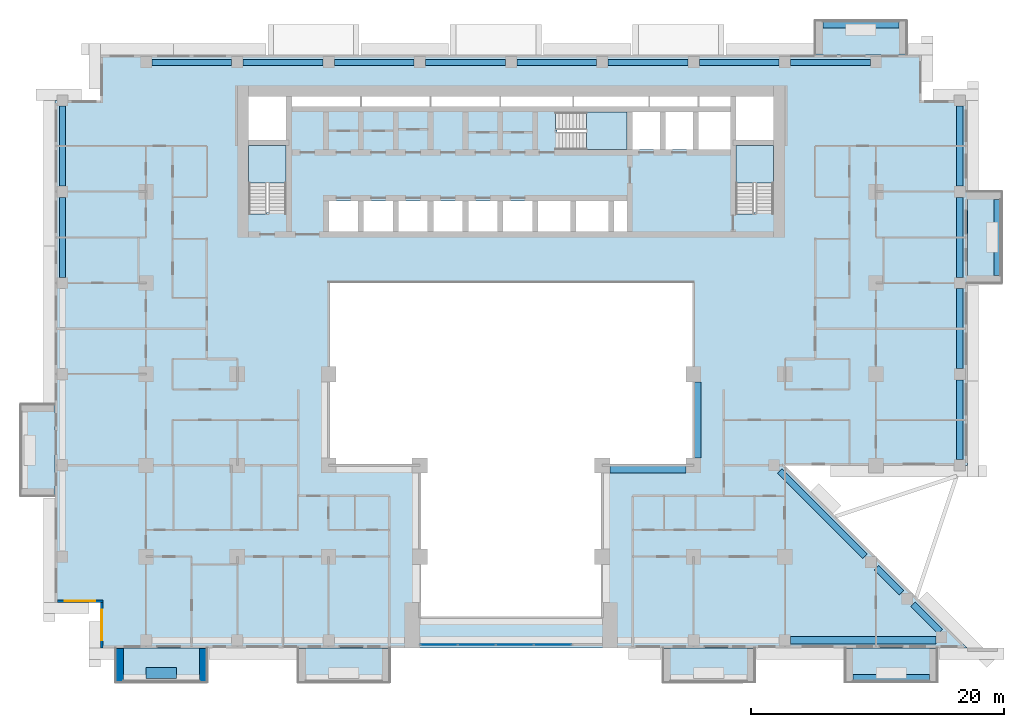
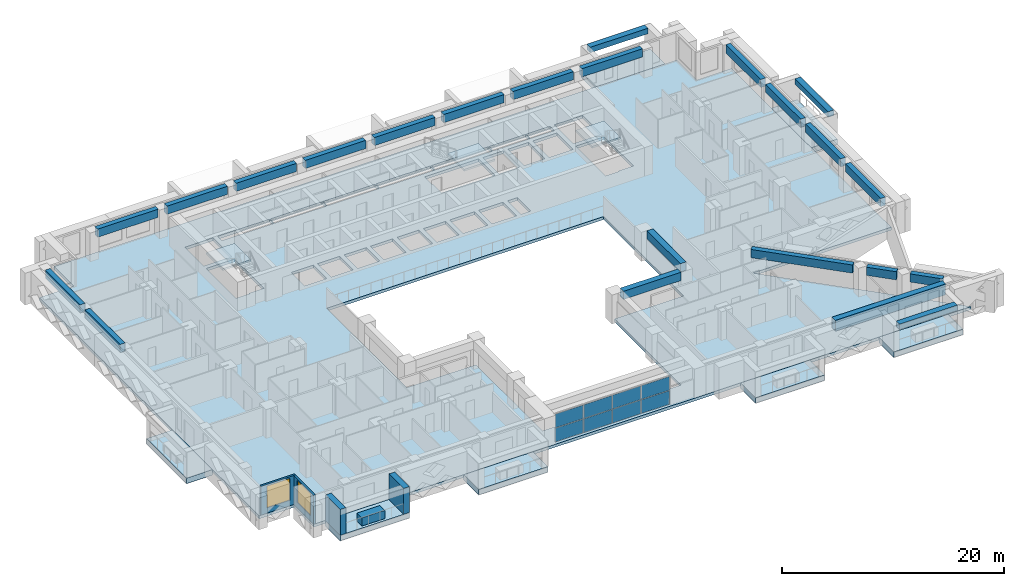
# One storey, part 5 of 17: 23 beams, 11 slabs, 8 plates, 5 walls, 2 windows, 2 openings, 4 elements without a shape of their own.
"""IFC4 building model written with IfcOpenShell, lengths in metres."""

from ifc_helpers import new_model, si_unit, direction, frame, frame_2d, origin, origin_2d, place, context, subcontext, project, spatial, polyline, rectangle, outline, extrude, source, transform, mapped, material, layer, layer_set, material_profile, profile_set, type_object, element, fill, aggregate, save


model = new_model("IFC4")

# Units and contexts
model_context = context("Model", 3, precision=1e-05, world=origin(), true_north=direction((0.0, 1.0)))
body_context = subcontext(model_context, "Body", "Model", "MODEL_VIEW")
ifc_project = project(units=[si_unit("LENGTHUNIT", "METRE"), si_unit("AREAUNIT", "SQUARE_METRE"), si_unit("VOLUMEUNIT", "CUBIC_METRE"), si_unit("PLANEANGLEUNIT", "RADIAN"), si_unit("MASSUNIT", "GRAM", prefix="KILO")], contexts=[model_context])

# Site, building, storey
site_placement = place(None, origin())
site = spatial("IfcSite", under=ifc_project, at=site_placement, CompositionType="ELEMENT")
building_placement = place(site_placement, origin())
building = spatial("IfcBuilding", under=site, at=building_placement, Name="Saffron Iwan Residences", CompositionType="ELEMENT")
storey_placement = place(building_placement, frame((0.0, 0.0, 97.0)))
storey = spatial("IfcBuildingStorey", under=building, at=storey_placement, Name="L25", CompositionType="ELEMENT", Elevation=97.0)

# Beams
ifc_material_1 = material(Name="Concrete C60/75", Category="concrete")
ifc_material_profile_1 = material_profile(ifc_material_1, rectangle(XDim=0.5, YDim=0.89990234375, at=origin_2d()), Name="RC 500x900")
ifc_profile_set_1 = profile_set([ifc_material_profile_1], Name="Concrete C60/75")
beam_type_1 = type_object("IfcBeamType", Name="SPANDREL BEAM RC 500x900 C60/75 TOP 3180", PredefinedType="SPANDREL", material=ifc_profile_set_1)
shared_shape_1 = source(origin(), body_context, "Body", "SweptSolid", [
    extrude(rectangle(XDim=0.5, YDim=0.89990234375, at=origin_2d()), origin(), (0.0, 0.0, 1.0), 6.300048828125),
])
for number, where, z_axis, x_axis, name in (
    (1, (85.800048828125, 54.75, 2.72998046875), (0.0, -1.0, 0.0), (1.0, 0.0, 0.0), "Spandrel beam"),
    (2, (85.800048828125, 61.949951171875, 2.72998046875), (0.0, -1.0, 0.0), (1.0, 0.0, 0.0), "Spandrel beam"),
    (3, (15.0, 70.050048828125, 2.72998046875), (0.0, 1.0, 0.0), (-1.0, 0.0, 0.0), "Spandrel beam"),
    (4, (85.800048828125, 76.35009765625, 2.72998046875), (0.0, -1.0, 0.0), (1.0, 0.0, 0.0), "Spandrel beam"),
    (5, (22.050048828125, 79.800048828125, 2.72998046875), (1.0, 0.0, 0.0), (0.0, 1.0, 0.0), "Spandrel beam"),
    (6, (29.25, 79.800048828125, 2.72998046875), (1.0, 0.0, 0.0), (0.0, 1.0, 0.0), "Spandrel beam"),
    (7, (36.449951171875, 79.800048828125, 2.72998046875), (1.0, 0.0, 0.0), (0.0, 1.0, 0.0), "Spandrel beam"),
    (8, (43.64990234375, 79.800048828125, 2.72998046875), (1.0, 0.0, 0.0), (0.0, 1.0, 0.0), "Spandrel beam"),
    (9, (58.050048828125, 79.800048828125, 2.72998046875), (1.0, 0.0, 0.0), (0.0, 1.0, 0.0), "Spandrel beam"),
    (10, (65.25, 79.800048828125, 2.72998046875), (1.0, 0.0, 0.0), (0.0, 1.0, 0.0), "Spandrel beam"),
    (11, (72.449951171875, 79.800048828125, 2.72998046875), (1.0, 0.0, 0.0), (0.0, 1.0, 0.0), "Spandrel beam"),
):
    element("IfcBeam", number, at=place(storey_placement, frame(where, z_axis=z_axis, x_axis=x_axis)), inside=storey, type_object=beam_type_1, Name=name, PredefinedType="SPANDREL", context=body_context, shape_type="MappedRepresentation", body=[
        mapped(shared_shape_1, transform((0.0, 0.0, 0.0))),
    ])
shared_shape_2 = source(origin(), body_context, "Body", "SweptSolid", [
    extrude(rectangle(XDim=0.5, YDim=0.89990234375, at=origin_2d()), origin(), (0.0, 0.0, 1.0), 3.046142578125),
])
beam_1_placement = place(storey_placement, frame((82.105712890625, 37.0458984375, 2.72998046875), z_axis=(0.707066705991, -0.70714685411, 0.0), x_axis=(0.70714685411, 0.707066705991, 0.0)))
element("IfcBeam", 12, at=beam_1_placement, inside=storey, type_object=beam_type_1, Name="Spandrel beam", PredefinedType="SPANDREL", context=body_context, shape_type="MappedRepresentation", body=[
    mapped(shared_shape_2, transform((0.0, 0.0, 0.0))),
])
shared_shape_3 = source(origin(), body_context, "Body", "SweptSolid", [
    extrude(rectangle(XDim=0.5, YDim=0.89990234375, at=origin_2d()), origin(), (0.0, 0.0, 1.0), 2.80029296875),
])
beam_2_placement = place(storey_placement, frame((79.2255859375, 39.92578125, 2.72998046875), z_axis=(0.707150371901, -0.707063187784, 0.0), x_axis=(0.707063187784, 0.707150371901, 0.0)))
element("IfcBeam", 13, at=beam_2_placement, inside=storey, type_object=beam_type_1, Name="Spandrel beam", PredefinedType="SPANDREL", context=body_context, shape_type="MappedRepresentation", body=[
    mapped(shared_shape_3, transform((0.0, 0.0, 0.0))),
])
shared_shape_4 = source(origin(), body_context, "Body", "SweptSolid", [
    extrude(rectangle(XDim=0.5, YDim=0.89990234375, at=origin_2d()), origin(), (0.0, 0.0, 1.0), 9.511474609375),
])
beam_3_placement = place(storey_placement, frame((71.60009765625, 47.551513671875, 2.72998046875), z_axis=(0.707093947217, -0.707119614923, 0.0), x_axis=(0.707119614923, 0.707093947217, 0.0)))
element("IfcBeam", 14, at=beam_3_placement, inside=storey, type_object=beam_type_1, Name="Spandrel beam", PredefinedType="SPANDREL", context=body_context, shape_type="MappedRepresentation", body=[
    mapped(shared_shape_4, transform((0.0, 0.0, 0.0))),
])
shared_shape_5 = source(origin(), body_context, "Body", "SweptSolid", [
    extrude(rectangle(XDim=0.5, YDim=0.89990234375, at=origin_2d()), origin(), (0.0, 0.0, 1.0), 6.2998046875),
])
for number, where, z_axis, x_axis, name in (
    (15, (15.0, 62.85009765625, 2.72998046875), (0.0, 1.0, 0.0), (-1.0, 0.0, 0.0), "Spandrel beam"),
    (16, (85.800048828125, 69.14990234375, 2.72998046875), (0.0, -1.0, 0.0), (1.0, 0.0, 0.0), "Spandrel beam"),
    (17, (50.85009765625, 79.800048828125, 2.72998046875), (1.0, 0.0, 0.0), (0.0, 1.0, 0.0), "Spandrel beam"),
):
    element("IfcBeam", number, at=place(storey_placement, frame(where, z_axis=z_axis, x_axis=x_axis)), inside=storey, type_object=beam_type_1, Name=name, PredefinedType="SPANDREL", context=body_context, shape_type="MappedRepresentation", body=[
        mapped(shared_shape_5, transform((0.0, 0.0, 0.0))),
    ])
ifc_material_profile_2 = material_profile(ifc_material_1, rectangle(XDim=0.60009765625, YDim=1.199951171875, at=origin_2d()), Name="RC 600x1200")
ifc_profile_set_2 = profile_set([ifc_material_profile_2], Name="Concrete C60/75")
beam_type_2 = type_object("IfcBeamType", Name="LINTEL BEAM RC 600x1200 C60/75 TOP 3180", PredefinedType="LINTEL", material=ifc_profile_set_2)
shared_shape_6 = source(origin(), body_context, "Body", "SweptSolid", [
    extrude(rectangle(XDim=0.60009765625, YDim=1.199951171875, at=origin_2d()), origin(), (0.0, 0.0, 1.0), 11.467529296875),
])
beam_4_placement = place(storey_placement, frame((83.91748046875, 34.199951171875, 2.580078125), z_axis=(-1.0, 0.0, 0.0), x_axis=(0.0, -1.0, 0.0)))
element("IfcBeam", 18, at=beam_4_placement, inside=storey, type_object=beam_type_2, Name="Lintel beam over the iwan", PredefinedType="LINTEL", context=body_context, shape_type="MappedRepresentation", body=[
    mapped(shared_shape_6, transform((0.0, 0.0, 0.0))),
])
ifc_material_profile_3 = material_profile(ifc_material_1, rectangle(XDim=0.60009765625, YDim=0.89990234375, at=origin_2d()), Name="RC 600x900")
ifc_profile_set_3 = profile_set([ifc_material_profile_3], Name="Concrete C60/75")
beam_type_3 = type_object("IfcBeamType", Name="BEAM RC 600x900 C60/75 TOP 3180", PredefinedType="BEAM", material=ifc_profile_set_3)
shared_shape_7 = source(origin(), body_context, "Body", "SweptSolid", [
    extrude(rectangle(XDim=0.60009765625, YDim=0.89990234375, at=origin_2d()), origin(), (0.0, 0.0, 1.0), 6.0),
])
for number, where, z_axis, x_axis, name in (
    (19, (64.199951171875, 47.699951171875, 2.72998046875), (-1.0, 0.0, 0.0), (0.0, -1.0, 0.0), "Atrium edge beam"),
    (20, (65.10009765625, 54.60009765625, 2.72998046875), (0.0, -1.0, 0.0), (1.0, 0.0, 0.0), "Atrium edge beam"),
):
    element("IfcBeam", number, at=place(storey_placement, frame(where, z_axis=z_axis, x_axis=x_axis)), inside=storey, type_object=beam_type_3, Name=name, PredefinedType="BEAM", context=body_context, shape_type="MappedRepresentation", body=[
        mapped(shared_shape_7, transform((0.0, 0.0, 0.0))),
    ])
ifc_material_2 = material(Name="Concrete C50/60 white painted", Category="concrete")
ifc_material_profile_4 = material_profile(ifc_material_2, rectangle(XDim=0.60009765625, YDim=0.60009765625, at=origin_2d()), Name="BALCONY FASCIA BEAM 600 x 600")
ifc_profile_set_4 = profile_set([ifc_material_profile_4], Name="Concrete C50/60 white painted")
beam_type_4 = type_object("IfcBeamType", Name="BALCONY FASCIA BEAM 600 x 600", PredefinedType="BEAM", material=ifc_profile_set_4)
shared_shape_8 = source(origin(), body_context, "Body", "SweptSolid", [
    extrude(rectangle(XDim=0.60009765625, YDim=0.60009765625, at=origin_2d()), origin(), (0.0, 0.0, 1.0), 6.0),
])
for number, where, z_axis, x_axis, name in (
    (21, (88.800048828125, 63.0, 2.550048828125), (0.0, 1.0, 0.0), (-1.0, 0.0, 0.0), "Balcony fascia beam L25 F2-0"),
    (22, (81.0, 82.800048828125, 2.550048828125), (-1.0, 0.0, 0.0), (0.0, -1.0, 0.0), "Balcony fascia beam L25 F5-0"),
    (23, (77.39990234375, 31.199951171875, 2.550048828125), (1.0, 0.0, 0.0), (0.0, 1.0, 0.0), "Balcony fascia beam L25 11-3"),
):
    element("IfcBeam", number, at=place(storey_placement, frame(where, z_axis=z_axis, x_axis=x_axis)), inside=storey, type_object=beam_type_4, Name=name, PredefinedType="BEAM", context=body_context, shape_type="MappedRepresentation", body=[
        mapped(shared_shape_8, transform((0.0, 0.0, 0.0))),
    ])

# Slabs
ifc_layer_1 = layer(ifc_material_2, 0.60009765625)
ifc_layer_set_1 = layer_set([ifc_layer_1], Name="Concrete C50/60 white painted")
slab_type_1 = type_object("IfcSlabType", Name="BALCONY FRAME SLAB 600", PredefinedType="FLOOR", material=ifc_layer_set_1)
slab_1_placement = place(storey_placement, frame((0.0, 0.0, -0.60009765625)))
element("IfcSlab", 24, at=slab_1_placement, inside=storey, type_object=slab_type_1, Name="Balcony frame slab L25 F2-0", PredefinedType="FLOOR", context=body_context, shape_type="SweptSolid", body=[
    extrude(outline(polyline([(89.10009765625, 62.39990234375), (89.10009765625, 69.60009765625), (86.39990234375, 69.60009765625), (86.39990234375, 62.39990234375), (89.10009765625, 62.39990234375)])), origin(), (0.0, 0.0, 1.0), 0.60009765625),
])
slab_2_placement = place(storey_placement, frame((0.0, 0.0, -0.60009765625)))
element("IfcSlab", 25, at=slab_2_placement, inside=storey, type_object=slab_type_1, Name="Balcony frame slab L25 F5-0", PredefinedType="FLOOR", context=body_context, shape_type="SweptSolid", body=[
    extrude(outline(polyline([(81.60009765625, 83.10009765625), (74.39990234375, 83.10009765625), (74.39990234375, 80.39990234375), (81.60009765625, 80.39990234375), (81.60009765625, 83.10009765625)])), origin(), (0.0, 0.0, 1.0), 0.60009765625),
])
slab_3_placement = place(storey_placement, frame((0.0, 0.0, -0.60009765625)))
element("IfcSlab", 26, at=slab_3_placement, inside=storey, type_object=slab_type_1, Name="Balcony frame slab L25 F8-1", PredefinedType="FLOOR", context=body_context, shape_type="SweptSolid", body=[
    extrude(outline(polyline([(11.699951171875, 52.800048828125), (11.699951171875, 45.60009765625), (14.39990234375, 45.60009765625), (14.39990234375, 52.800048828125), (11.699951171875, 52.800048828125)])), origin(), (0.0, 0.0, 1.0), 0.60009765625),
])
slab_4_placement = place(storey_placement, frame((0.0, 0.0, -0.60009765625)))
element("IfcSlab", 27, at=slab_4_placement, inside=storey, type_object=slab_type_1, Name="Balcony frame slab L25 11-0", PredefinedType="FLOOR", context=body_context, shape_type="SweptSolid", body=[
    extrude(outline(polyline([(19.199951171875, 30.89990234375), (26.39990234375, 30.89990234375), (26.39990234375, 33.60009765625), (19.199951171875, 33.60009765625), (19.199951171875, 30.89990234375)])), origin(), (0.0, 0.0, 1.0), 0.60009765625),
])
slab_5_placement = place(storey_placement, frame((0.0, 0.0, -0.60009765625)))
element("IfcSlab", 28, at=slab_5_placement, inside=storey, type_object=slab_type_1, Name="Balcony frame slab L25 11-1", PredefinedType="FLOOR", context=body_context, shape_type="SweptSolid", body=[
    extrude(outline(polyline([(33.60009765625, 30.89990234375), (40.800048828125, 30.89990234375), (40.800048828125, 33.60009765625), (33.60009765625, 33.60009765625), (33.60009765625, 30.89990234375)])), origin(), (0.0, 0.0, 1.0), 0.60009765625),
])
slab_6_placement = place(storey_placement, frame((0.0, 0.0, -0.60009765625)))
element("IfcSlab", 29, at=slab_6_placement, inside=storey, type_object=slab_type_1, Name="Balcony frame slab L25 11-2", PredefinedType="FLOOR", context=body_context, shape_type="SweptSolid", body=[
    extrude(outline(polyline([(62.39990234375, 30.89990234375), (69.60009765625, 30.89990234375), (69.60009765625, 33.60009765625), (62.39990234375, 33.60009765625), (62.39990234375, 30.89990234375)])), origin(), (0.0, 0.0, 1.0), 0.60009765625),
])
slab_7_placement = place(storey_placement, frame((0.0, 0.0, -0.60009765625)))
element("IfcSlab", 30, at=slab_7_placement, inside=storey, type_object=slab_type_1, Name="Balcony frame slab L25 11-3", PredefinedType="FLOOR", context=body_context, shape_type="SweptSolid", body=[
    extrude(outline(polyline([(76.800048828125, 30.89990234375), (84.0, 30.89990234375), (84.0, 33.60009765625), (76.800048828125, 33.60009765625), (76.800048828125, 30.89990234375)])), origin(), (0.0, 0.0, 1.0), 0.60009765625),
])
ifc_material_3 = material(Name="Concrete C40/50", Category="concrete")
ifc_layer_2 = layer(ifc_material_3, 0.320068359375)
ifc_layer_set_2 = layer_set([ifc_layer_2], Name="Concrete C40/50")
slab_type_2 = type_object("IfcSlabType", Name="PT PLATE 320 C40/50", PredefinedType="FLOOR", material=ifc_layer_set_2)
slab_8_placement = place(storey_placement, frame((0.0, 0.0, -0.320068359375)))
element("IfcSlab", 31, at=slab_8_placement, inside=storey, type_object=slab_type_2, Name="Floor slab L25", PredefinedType="FLOOR", context=body_context, shape_type="SweptSolid", body=[
    extrude(outline(polyline([(14.39990234375, 37.199951171875), (14.39990234375, 76.800048828125), (18.0, 76.800048828125), (18.0, 80.39990234375), (82.800048828125, 80.39990234375), (82.800048828125, 76.800048828125), (86.39990234375, 76.800048828125), (86.39990234375, 48.0), (72.0, 48.0), (86.39990234375, 33.60009765625), (18.0, 33.60009765625), (18.0, 37.199951171875), (14.39990234375, 37.199951171875)]), holes=[polyline([(64.800048828125, 48.0), (64.800048828125, 62.39990234375), (36.0, 62.39990234375), (36.0, 48.0), (43.199951171875, 48.0), (43.199951171875, 36.0), (57.60009765625, 36.0), (57.60009765625, 48.0), (64.800048828125, 48.0)]), polyline([(38.324951171875, 68.875), (36.02490234375, 68.875), (36.02490234375, 66.449951171875), (38.324951171875, 66.449951171875), (38.324951171875, 68.875)]), polyline([(41.074951171875, 66.449951171875), (41.074951171875, 68.875), (38.77490234375, 68.875), (38.77490234375, 66.449951171875), (41.074951171875, 66.449951171875)]), polyline([(43.824951171875, 66.449951171875), (43.824951171875, 68.875), (41.52490234375, 68.875), (41.52490234375, 66.449951171875), (43.824951171875, 66.449951171875)]), polyline([(46.574951171875, 68.875), (44.27490234375, 68.875), (44.27490234375, 66.449951171875), (46.574951171875, 66.449951171875), (46.574951171875, 68.875)]), polyline([(49.324951171875, 66.449951171875), (49.324951171875, 68.875), (47.02490234375, 68.875), (47.02490234375, 66.449951171875), (49.324951171875, 66.449951171875)]), polyline([(52.074951171875, 66.449951171875), (52.074951171875, 68.875), (49.77490234375, 68.875), (49.77490234375, 66.449951171875), (52.074951171875, 66.449951171875)]), polyline([(29.699951171875, 73.25), (29.699951171875, 67.949951171875), (29.699951171875, 67.8505859375), (31.10009765625, 67.8505859375), (31.10009765625, 67.949951171875), (32.64990234375, 67.949951171875), (32.64990234375, 73.25), (29.699951171875, 73.25)]), polyline([(32.64990234375, 73.699951171875), (32.64990234375, 77.10009765625), (29.699951171875, 77.10009765625), (29.699951171875, 73.699951171875), (32.64990234375, 73.699951171875)]), polyline([(38.5, 76.324951171875), (38.5, 77.10009765625), (33.10009765625, 77.10009765625), (33.10009765625, 76.324951171875), (38.5, 76.324951171875)]), polyline([(44.0, 77.10009765625), (38.60009765625, 77.10009765625), (38.60009765625, 76.324951171875), (44.0, 76.324951171875), (44.0, 77.10009765625)]), polyline([(49.5, 76.324951171875), (49.5, 77.10009765625), (44.10009765625, 77.10009765625), (44.10009765625, 76.324951171875), (49.5, 76.324951171875)]), polyline([(55.25, 76.324951171875), (55.25, 77.10009765625), (49.60009765625, 77.10009765625), (49.60009765625, 76.324951171875), (55.25, 76.324951171875)]), polyline([(55.074951171875, 68.875), (52.52490234375, 68.875), (52.52490234375, 66.449951171875), (55.074951171875, 66.449951171875), (55.074951171875, 68.875)]), polyline([(58.074951171875, 66.449951171875), (58.074951171875, 68.875), (55.52490234375, 68.875), (55.52490234375, 66.449951171875), (58.074951171875, 66.449951171875)]), polyline([(59.550048828125, 66.449951171875), (59.550048828125, 68.875), (58.52490234375, 68.875), (58.52490234375, 66.449951171875), (59.550048828125, 66.449951171875)]), polyline([(68.14990234375, 73.25), (68.14990234375, 67.949951171875), (68.14990234375, 67.8505859375), (69.550048828125, 67.8505859375), (69.550048828125, 67.949951171875), (71.10009765625, 67.949951171875), (71.10009765625, 73.25), (68.14990234375, 73.25)]), polyline([(53.925537109375, 74.47509765625), (54.02490234375, 74.47509765625), (54.02490234375, 72.925048828125), (59.550048828125, 72.925048828125), (59.550048828125, 75.875), (54.02490234375, 75.875), (53.925537109375, 75.875), (53.925537109375, 74.47509765625)]), polyline([(62.14990234375, 72.925048828125), (62.14990234375, 75.875), (60.0, 75.875), (60.0, 72.925048828125), (62.14990234375, 72.925048828125)]), polyline([(64.75, 75.875), (62.60009765625, 75.875), (62.60009765625, 72.925048828125), (64.75, 72.925048828125), (64.75, 75.875)]), polyline([(67.699951171875, 72.925048828125), (67.699951171875, 75.875), (65.199951171875, 75.875), (65.199951171875, 72.925048828125), (67.699951171875, 72.925048828125)]), polyline([(71.10009765625, 73.699951171875), (71.10009765625, 77.10009765625), (68.14990234375, 77.10009765625), (68.14990234375, 73.699951171875), (71.10009765625, 73.699951171875)]), polyline([(61.25, 77.10009765625), (55.35009765625, 77.10009765625), (55.35009765625, 76.324951171875), (61.25, 76.324951171875), (61.25, 77.10009765625)]), polyline([(65.14990234375, 76.324951171875), (65.14990234375, 77.10009765625), (61.35009765625, 77.10009765625), (61.35009765625, 76.324951171875), (65.14990234375, 76.324951171875)]), polyline([(67.699951171875, 76.324951171875), (67.699951171875, 77.10009765625), (65.25, 77.10009765625), (65.25, 76.324951171875), (67.699951171875, 76.324951171875)])]), origin(), (0.0, 0.0, 1.0), 0.320068359375),
])

# Stair, slab
ifc_material_4 = material(Name="Concrete C50/60", Category="concrete")
stair_type = type_object("IfcStairType", Name="Stair ST-CORE", PredefinedType="HALF_TURN_STAIR", material=ifc_material_4)
stair_1_placement = place(storey_placement, origin())
stair_1 = element("IfcStair", 32, at=stair_1_placement, inside=storey, type_object=stair_type, Name="L25 Exit Stair ST-W", PredefinedType="HALF_TURN_STAIR")
ifc_layer_3 = layer(ifc_material_4, 0.199951171875)
ifc_layer_set_3 = layer_set([ifc_layer_3], Name="Concrete C50/60")
slab_type_3 = type_object("IfcSlabType", Name="Stair landing SL-RC", PredefinedType="LANDING", material=ifc_layer_set_3)
slab_9_placement = place(storey_placement, frame((0.0, 0.0, 1.5498046875)))
slab_9 = element("IfcSlab", 33, at=slab_9_placement, type_object=slab_type_3, Name="ST-W landing 1", PredefinedType="LANDING", context=body_context, shape_type="SweptSolid", body=[
    extrude(outline(polyline([(32.64990234375, 70.280029296875), (32.64990234375, 73.25), (29.699951171875, 73.25), (29.699951171875, 70.280029296875), (32.64990234375, 70.280029296875)])), origin(), (0.0, 0.0, 1.0), 0.2001953125),
])
aggregate(stair_1, [slab_9])

stair_2_placement = place(storey_placement, origin())
stair_2 = element("IfcStair", 34, at=stair_2_placement, inside=storey, type_object=stair_type, Name="L25 Exit Stair ST-C", PredefinedType="HALF_TURN_STAIR")
slab_10_placement = place(storey_placement, frame((0.0, 0.0, 1.5498046875)))
slab_10 = element("IfcSlab", 35, at=slab_10_placement, type_object=slab_type_3, Name="ST-C landing 1", PredefinedType="LANDING", context=body_context, shape_type="SweptSolid", body=[
    extrude(outline(polyline([(56.35498046875, 72.925048828125), (59.550048828125, 72.925048828125), (59.550048828125, 75.875), (56.35498046875, 75.875), (56.35498046875, 72.925048828125)])), origin(), (0.0, 0.0, 1.0), 0.2001953125),
])
aggregate(stair_2, [slab_10])

stair_3_placement = place(storey_placement, origin())
stair_3 = element("IfcStair", 36, at=stair_3_placement, inside=storey, type_object=stair_type, Name="L25 Exit Stair ST-E", PredefinedType="HALF_TURN_STAIR")
slab_11_placement = place(storey_placement, frame((0.0, 0.0, 1.5498046875)))
slab_11 = element("IfcSlab", 37, at=slab_11_placement, type_object=slab_type_3, Name="ST-E landing 1", PredefinedType="LANDING", context=body_context, shape_type="SweptSolid", body=[
    extrude(outline(polyline([(71.10009765625, 70.280029296875), (71.10009765625, 73.25), (68.14990234375, 73.25), (68.14990234375, 70.280029296875), (71.10009765625, 70.280029296875)])), origin(), (0.0, 0.0, 1.0), 0.2001953125),
])
aggregate(stair_3, [slab_11])

# Curtain wall, plates
ifc_material_5 = material(Name="Clear glass, laminated double glazed", Category="glass")
ifc_layer_4 = layer(ifc_material_5, 0.199951171875)
ifc_layer_set_4 = layer_set([ifc_layer_4], Name="Clear glass, laminated double glazed")
curtain_wall_type = type_object("IfcCurtainWallType", Name="CW-B IWAN PORTAL", PredefinedType="NOTDEFINED", material=ifc_layer_set_4)
curtain_wall_placement = place(storey_placement, origin())
curtain_wall = element("IfcCurtainWall", 38, at=curtain_wall_placement, inside=storey, type_object=curtain_wall_type, Name="Iwan portal glazing L25.1", PredefinedType="NOTDEFINED")
ifc_layer_5 = layer(ifc_material_5, 0.028076171875)
ifc_layer_set_5 = layer_set([ifc_layer_5], Name="Clear glass, laminated double glazed")
plate_type = type_object("IfcPlateType", Name="CW-B PANEL 28", PredefinedType="CURTAIN_PANEL", material=ifc_layer_set_5)
shared_shape_9 = source(origin(), body_context, "Body", "SweptSolid", [
    extrude(rectangle(XDim=2.909912109375, YDim=0.028076171875, at=origin_2d()), origin(), (0.0, 0.0, 1.0), 1.5),
])
plate_1_placement = place(storey_placement, frame((44.715087890625, 33.85009765625, 0.06005859375), z_axis=(0.0, 0.0, 1.0), x_axis=(1.0, 0.0, 0.0)))
plate_1 = element("IfcPlate", 39, at=plate_1_placement, type_object=plate_type, Name="CW-B panel 1.1", PredefinedType="CURTAIN_PANEL", context=body_context, shape_type="MappedRepresentation", body=[
    mapped(shared_shape_9, transform((0.0, 0.0, 0.0))),
])
plate_2_placement = place(storey_placement, frame((44.715087890625, 33.85009765625, 1.6201171875), z_axis=(0.0, 0.0, 1.0), x_axis=(1.0, 0.0, 0.0)))
plate_2 = element("IfcPlate", 40, at=plate_2_placement, type_object=plate_type, Name="CW-B panel 1.2", PredefinedType="CURTAIN_PANEL", context=body_context, shape_type="MappedRepresentation", body=[
    mapped(shared_shape_9, transform((0.0, 0.0, 0.0))),
])
plate_3_placement = place(storey_placement, frame((53.68505859375, 33.85009765625, 0.06005859375), z_axis=(0.0, 0.0, 1.0), x_axis=(1.0, 0.0, 0.0)))
plate_3 = element("IfcPlate", 41, at=plate_3_placement, type_object=plate_type, Name="CW-B panel 4.1", PredefinedType="CURTAIN_PANEL", context=body_context, shape_type="MappedRepresentation", body=[
    mapped(shared_shape_9, transform((0.0, 0.0, 0.0))),
])
plate_4_placement = place(storey_placement, frame((53.68505859375, 33.85009765625, 1.6201171875), z_axis=(0.0, 0.0, 1.0), x_axis=(1.0, 0.0, 0.0)))
plate_4 = element("IfcPlate", 42, at=plate_4_placement, type_object=plate_type, Name="CW-B panel 4.2", PredefinedType="CURTAIN_PANEL", context=body_context, shape_type="MappedRepresentation", body=[
    mapped(shared_shape_9, transform((0.0, 0.0, 0.0))),
])
shared_shape_10 = source(origin(), body_context, "Body", "SweptSolid", [
    extrude(rectangle(XDim=2.93994140625, YDim=0.028076171875, at=origin_2d()), origin(), (0.0, 0.0, 1.0), 1.5),
])
plate_5_placement = place(storey_placement, frame((47.699951171875, 33.85009765625, 0.06005859375), z_axis=(0.0, 0.0, 1.0), x_axis=(1.0, 0.0, 0.0)))
plate_5 = element("IfcPlate", 43, at=plate_5_placement, type_object=plate_type, Name="CW-B panel 2.1", PredefinedType="CURTAIN_PANEL", context=body_context, shape_type="MappedRepresentation", body=[
    mapped(shared_shape_10, transform((0.0, 0.0, 0.0))),
])
plate_6_placement = place(storey_placement, frame((47.699951171875, 33.85009765625, 1.6201171875), z_axis=(0.0, 0.0, 1.0), x_axis=(1.0, 0.0, 0.0)))
plate_6 = element("IfcPlate", 44, at=plate_6_placement, type_object=plate_type, Name="CW-B panel 2.2", PredefinedType="CURTAIN_PANEL", context=body_context, shape_type="MappedRepresentation", body=[
    mapped(shared_shape_10, transform((0.0, 0.0, 0.0))),
])
plate_7_placement = place(storey_placement, frame((50.699951171875, 33.85009765625, 0.06005859375), z_axis=(0.0, 0.0, 1.0), x_axis=(1.0, 0.0, 0.0)))
plate_7 = element("IfcPlate", 45, at=plate_7_placement, type_object=plate_type, Name="CW-B panel 3.1", PredefinedType="CURTAIN_PANEL", context=body_context, shape_type="MappedRepresentation", body=[
    mapped(shared_shape_10, transform((0.0, 0.0, 0.0))),
])
plate_8_placement = place(storey_placement, frame((50.699951171875, 33.85009765625, 1.6201171875), z_axis=(0.0, 0.0, 1.0), x_axis=(1.0, 0.0, 0.0)))
plate_8 = element("IfcPlate", 46, at=plate_8_placement, type_object=plate_type, Name="CW-B panel 3.2", PredefinedType="CURTAIN_PANEL", context=body_context, shape_type="MappedRepresentation", body=[
    mapped(shared_shape_10, transform((0.0, 0.0, 0.0))),
])
aggregate(curtain_wall, [plate_1, plate_2, plate_5, plate_6, plate_7, plate_8, plate_3, plate_4])

# Walls
ifc_layer_6 = layer(ifc_material_2, 0.60009765625)
ifc_layer_set_6 = layer_set([ifc_layer_6], Name="Concrete C50/60 white painted")
wall_type_1 = type_object("IfcWallType", Name="BALCONY FIN 600", PredefinedType="SOLIDWALL", material=ifc_layer_set_6)
for number, where, z_axis, x_axis, name in (
    (47, (19.5, 33.550048828125, 0.0), (0.0, 0.0, 1.0), (0.0, -1.0, 0.0), "Balcony fin L25 11-0a"),
    (48, (26.10009765625, 33.550048828125, 0.0), (0.0, 0.0, 1.0), (0.0, -1.0, 0.0), "Balcony fin L25 11-0b"),
):
    element("IfcWall", number, at=place(storey_placement, frame(where, z_axis=z_axis, x_axis=x_axis)), inside=storey, type_object=wall_type_1, Name=name, PredefinedType="SOLIDWALL", context=body_context, shape_type="SweptSolid", body=[
        extrude(rectangle(XDim=2.650146484375, YDim=0.60009765625, at=frame_2d((1.3251953125, 0.0))), origin(), (0.0, 0.0, 1.0), 2.85009765625),
    ])
ifc_material_6 = material(Name="Concrete C35/45 white painted", Category="concrete")
ifc_layer_7 = layer(ifc_material_6, 0.14990234375)
ifc_layer_set_7 = layer_set([ifc_layer_7], Name="Concrete C35/45 white painted")
wall_type_2 = type_object("IfcWallType", Name="BALCONY PLANTER", PredefinedType="SOLIDWALL", material=ifc_layer_set_7)
wall_1_placement = place(storey_placement, frame((21.60009765625, 31.625, 0.0), z_axis=(0.0, 0.0, 1.0), x_axis=(1.0, 0.0, 0.0)))
element("IfcWall", 49, at=wall_1_placement, inside=storey, type_object=wall_type_2, Name="PLANTER L25 11-0", PredefinedType="SOLIDWALL", context=body_context, shape_type="SweptSolid", body=[
    extrude(rectangle(XDim=2.39990234375, YDim=0.89990234375, at=frame_2d((1.199951171875, 0.0))), origin(), (0.0, 0.0, 1.0), 0.89990234375),
])

# Wall, opening, window
ifc_layer_8 = layer(ifc_material_3, 0.199951171875)
ifc_layer_set_8 = layer_set([ifc_layer_8], Name="Concrete C40/50")
wall_type_3 = type_object("IfcWallType", Name="EXTERNAL WALL 200", PredefinedType="SOLIDWALL", material=ifc_layer_set_8)
wall_2_placement = place(storey_placement, frame((14.60009765625, 37.300048828125, 0.0), z_axis=(0.0, 0.0, 1.0), x_axis=(1.0, 0.0, 0.0)))
wall_2 = element("IfcWall", 50, at=wall_2_placement, inside=storey, type_object=wall_type_3, Name="External wall L25 F9.0", PredefinedType="SOLIDWALL", context=body_context, shape_type="SweptSolid", body=[
    extrude(rectangle(XDim=3.599853515625, YDim=0.199951171875, at=frame_2d((1.7998046875, 0.0))), origin(), (0.0, 0.0, 1.0), 3.179931640625),
])
opening_1_placement = place(wall_2_placement, frame((0.60009765625, 0.0, 0.60009765625)))
opening_1 = element("IfcOpeningElement", 51, at=opening_1_placement, cuts=wall_2, Name="Opening W1", PredefinedType="OPENING", context=body_context, shape_type="SweptSolid", body=[
    extrude(rectangle(XDim=2.39990234375, YDim=2.39990234375, at=frame_2d((1.199951171875, 1.199951171875))), frame((0.0, 0.10986328125, 0.0), z_axis=(0.0, -1.0, 0.0), x_axis=(1.0, 0.0, 0.0)), (0.0, 0.0, 1.0), 0.219970703125),
])
window_type = type_object("IfcWindowType", Name="WINDOW 2400 x 2400", PartitioningType="DOUBLE_PANEL_VERTICAL", PredefinedType="WINDOW", material=ifc_material_5)
window_1_placement = place(opening_1_placement, origin())
window_1 = element("IfcWindow", 52, at=window_1_placement, inside=storey, type_object=window_type, Name="Window L25 F9.0", OverallHeight=2.39990234375, OverallWidth=2.39990234375, PartitioningType="DOUBLE_PANEL_VERTICAL", PredefinedType="WINDOW", context=body_context, shape_type="SweptSolid", body=[
    extrude(rectangle(XDim=2.39990234375, YDim=2.39990234375, at=frame_2d((1.199951171875, 1.199951171875))), frame((0.0, 0.030029296875, 0.0), z_axis=(0.0, -1.0, 0.0), x_axis=(1.0, 0.0, 0.0)), (0.0, 0.0, 1.0), 0.06005859375),
])
fill(opening_1, window_1)

wall_3_placement = place(storey_placement, frame((18.10009765625, 37.199951171875, 0.0), z_axis=(0.0, 0.0, 1.0), x_axis=(0.0, -1.0, 0.0)))
wall_3 = element("IfcWall", 53, at=wall_3_placement, inside=storey, type_object=wall_type_3, Name="External wall L25 F10.0", PredefinedType="SOLIDWALL", context=body_context, shape_type="SweptSolid", body=[
    extrude(rectangle(XDim=3.599853515625, YDim=0.199951171875, at=frame_2d((1.7998046875, 0.0))), origin(), (0.0, 0.0, 1.0), 3.179931640625),
])
opening_2_placement = place(wall_3_placement, frame((0.60009765625, 0.0, 0.60009765625)))
opening_2 = element("IfcOpeningElement", 54, at=opening_2_placement, cuts=wall_3, Name="Opening W1", PredefinedType="OPENING", context=body_context, shape_type="SweptSolid", body=[
    extrude(rectangle(XDim=2.39990234375, YDim=2.39990234375, at=frame_2d((1.199951171875, 1.199951171875))), frame((0.0, 0.10986328125, 0.0), z_axis=(0.0, -1.0, 0.0), x_axis=(1.0, 0.0, 0.0)), (0.0, 0.0, 1.0), 0.219970703125),
])
window_2_placement = place(opening_2_placement, origin())
window_2 = element("IfcWindow", 55, at=window_2_placement, inside=storey, type_object=window_type, Name="Window L25 F10.0", OverallHeight=2.39990234375, OverallWidth=2.39990234375, PartitioningType="DOUBLE_PANEL_VERTICAL", PredefinedType="WINDOW", context=body_context, shape_type="SweptSolid", body=[
    extrude(rectangle(XDim=2.39990234375, YDim=2.39990234375, at=frame_2d((1.199951171875, 1.199951171875))), frame((0.0, 0.030029296875, 0.0), z_axis=(0.0, -1.0, 0.0), x_axis=(1.0, 0.0, 0.0)), (0.0, 0.0, 1.0), 0.06005859375),
])
fill(opening_2, window_2)

save(model, "model.ifc")
